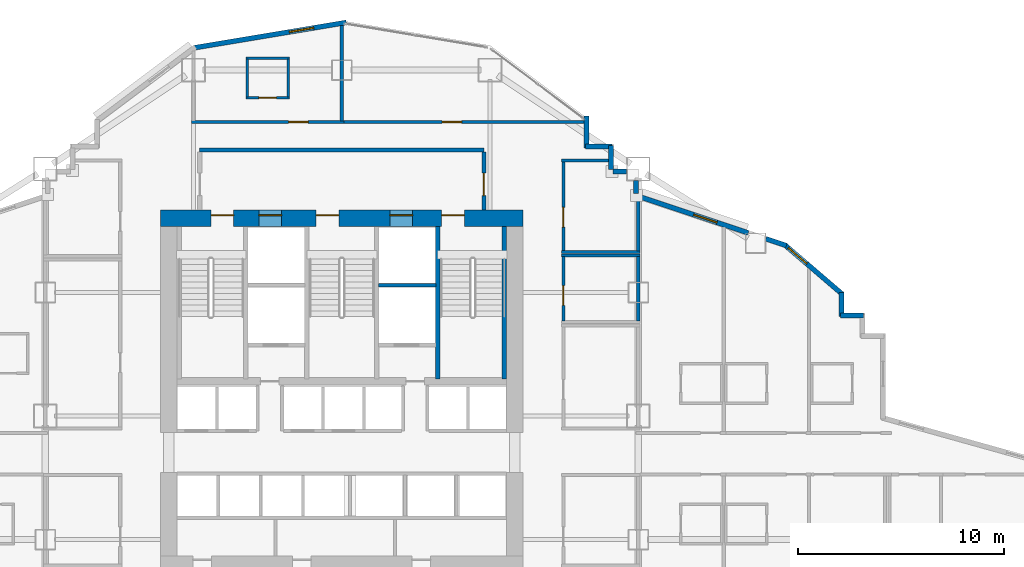
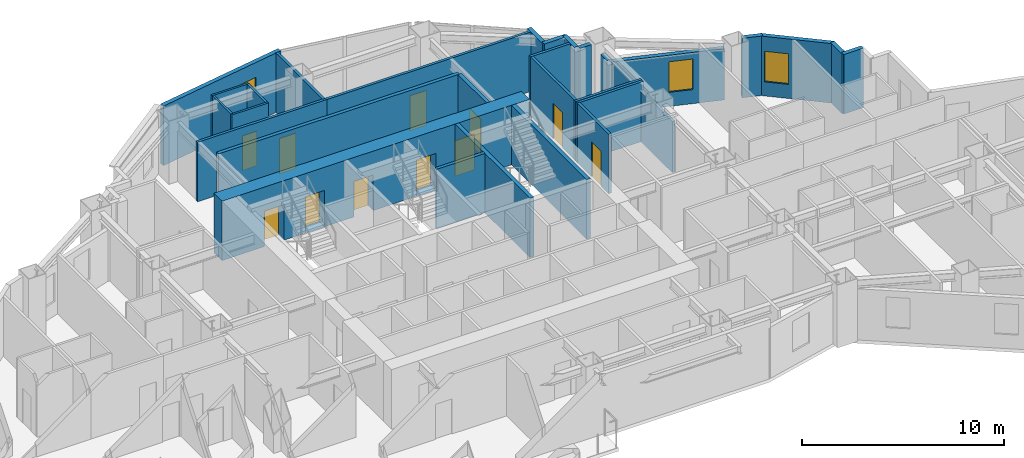
# One storey, part 12 of 16: 31 walls, 11 doors, 3 windows, 14 openings.
"""IFC4 building model written with IfcOpenShell, lengths in metres."""

from ifc_helpers import new_model, si_unit, direction, frame, frame_2d, origin, place, context, subcontext, project, spatial, rectangle, extrude, material, layer, layer_set, type_object, element, fill, save


model = new_model("IFC4")

# Units and contexts
model_context = context("Model", 3, precision=1e-05, world=origin(), true_north=direction((0.0, 1.0)))
body_context = subcontext(model_context, "Body", "Model", "MODEL_VIEW")
ifc_project = project(units=[si_unit("LENGTHUNIT", "METRE"), si_unit("AREAUNIT", "SQUARE_METRE"), si_unit("VOLUMEUNIT", "CUBIC_METRE"), si_unit("PLANEANGLEUNIT", "RADIAN"), si_unit("MASSUNIT", "GRAM", prefix="KILO")], contexts=[model_context])

# Site, building, storey
site_placement = place(None, origin())
site = spatial("IfcSite", under=ifc_project, at=site_placement, CompositionType="ELEMENT")
building_placement = place(site_placement, origin())
building = spatial("IfcBuilding", under=site, at=building_placement, Name="Haolan Belvedere Tower", CompositionType="ELEMENT")
storey_placement = place(building_placement, frame((0.0, 0.0, 78.0)))
storey = spatial("IfcBuildingStorey", under=building, at=storey_placement, Name="L19", CompositionType="ELEMENT", Elevation=78.0)

# Wall, openings, doors
ifc_material_1 = material(Name="Concrete C70/85", Category="concrete")
ifc_layer_1 = layer(ifc_material_1, 0.800048828125, Name="Concrete C70/85")
ifc_layer_set_1 = layer_set([ifc_layer_1], Name="Concrete C70/85")
wall_type_1 = type_object("IfcWallType", Name="WL-CORE-800", PredefinedType="SHEAR", material=ifc_layer_set_1)
wall_1_placement = place(storey_placement, frame((29.60009765625, 43.199951171875, 0.0), z_axis=(0.0, 0.0, 1.0), x_axis=(1.0, 0.0, 0.0)))
wall_1 = element("IfcWall", 1, at=wall_1_placement, inside=storey, type_object=wall_type_1, Name="L19 central core north shear wall", PredefinedType="SHEAR", context=body_context, shape_type="SweptSolid", body=[
    extrude(rectangle(XDim=17.599853515625, YDim=0.800048828125, at=frame_2d((8.7998046875, 0.0))), origin(), (0.0, 0.0, 1.0), 3.60009765625),
])
opening_1_placement = place(wall_1_placement, frame((2.449951171875, 0.0, 0.0)))
opening_1 = element("IfcOpeningElement", 2, at=opening_1_placement, cuts=wall_1, Name="Opening FD-03", PredefinedType="OPENING", context=body_context, shape_type="SweptSolid", body=[
    extrude(rectangle(XDim=1.10009765625, YDim=2.14990234375, at=frame_2d((0.550048828125, 1.074951171875))), frame((0.0, 0.409912109375, 0.0), z_axis=(0.0, -1.0, 0.0), x_axis=(1.0, 0.0, 0.0)), (0.0, 0.0, 1.0), 0.820068359375),
])
opening_2_placement = place(wall_1_placement, frame((7.56005859375, 0.0, 0.0)))
opening_2 = element("IfcOpeningElement", 3, at=opening_2_placement, cuts=wall_1, Name="Opening FD-03", PredefinedType="OPENING", context=body_context, shape_type="SweptSolid", body=[
    extrude(rectangle(XDim=1.10009765625, YDim=2.14990234375, at=frame_2d((0.550048828125, 1.074951171875))), frame((0.0, 0.409912109375, 0.0), z_axis=(0.0, -1.0, 0.0), x_axis=(1.0, 0.0, 0.0)), (0.0, 0.0, 1.0), 0.820068359375),
])
opening_3_placement = place(wall_1_placement, frame((13.64990234375, 0.0, 0.0)))
opening_3 = element("IfcOpeningElement", 4, at=opening_3_placement, cuts=wall_1, Name="Opening FD-03", PredefinedType="OPENING", context=body_context, shape_type="SweptSolid", body=[
    extrude(rectangle(XDim=1.10009765625, YDim=2.14990234375, at=frame_2d((0.550048828125, 1.074951171875))), frame((0.0, 0.409912109375, 0.0), z_axis=(0.0, -1.0, 0.0), x_axis=(1.0, 0.0, 0.0)), (0.0, 0.0, 1.0), 0.820068359375),
])
opening_4_placement = place(wall_1_placement, frame((4.780029296875, 0.0, 0.0)))
opening_4 = element("IfcOpeningElement", 5, at=opening_4_placement, cuts=wall_1, Name="Opening LD-01", PredefinedType="OPENING", context=body_context, shape_type="SweptSolid", body=[
    extrude(rectangle(XDim=1.10009765625, YDim=2.199951171875, at=frame_2d((0.550048828125, 1.10009765625))), frame((0.0, 0.409912109375, 0.0), z_axis=(0.0, -1.0, 0.0), x_axis=(1.0, 0.0, 0.0)), (0.0, 0.0, 1.0), 0.820068359375),
])
opening_5_placement = place(wall_1_placement, frame((11.139892578125, 0.0, 0.0)))
opening_5 = element("IfcOpeningElement", 6, at=opening_5_placement, cuts=wall_1, Name="Opening LD-01", PredefinedType="OPENING", context=body_context, shape_type="SweptSolid", body=[
    extrude(rectangle(XDim=1.10009765625, YDim=2.199951171875, at=frame_2d((0.550048828125, 1.10009765625))), frame((0.0, 0.409912109375, 0.0), z_axis=(0.0, -1.0, 0.0), x_axis=(1.0, 0.0, 0.0)), (0.0, 0.0, 1.0), 0.820068359375),
])
ifc_material_2 = material(Name="Galvanised fire-rated steel", Category="steel")
door_type_1 = type_object("IfcDoorType", Name="DR-FD90-1100", OperationType="NOTDEFINED", PredefinedType="DOOR", material=ifc_material_2)
door_1_placement = place(opening_1_placement, origin())
door_1 = element("IfcDoor", 7, at=door_1_placement, inside=storey, type_object=door_type_1, Name="L19 door CD-L19-ST1", OperationType="SINGLE_SWING_LEFT", OverallHeight=2.14990234375, OverallWidth=1.10009765625, PredefinedType="DOOR", context=body_context, shape_type="SweptSolid", body=[
    extrude(rectangle(XDim=1.10009765625, YDim=2.14990234375, at=frame_2d((0.550048828125, 1.074951171875))), frame((0.0, 0.18505859375, 0.0), z_axis=(0.0, -1.0, 0.0), x_axis=(1.0, 0.0, 0.0)), (0.0, 0.0, 1.0), 0.050048828125),
])
fill(opening_1, door_1)
door_2_placement = place(opening_2_placement, origin())
door_2 = element("IfcDoor", 8, at=door_2_placement, inside=storey, type_object=door_type_1, Name="L19 door CD-L19-ST3", OperationType="SINGLE_SWING_LEFT", OverallHeight=2.14990234375, OverallWidth=1.10009765625, PredefinedType="DOOR", context=body_context, shape_type="SweptSolid", body=[
    extrude(rectangle(XDim=1.10009765625, YDim=2.14990234375, at=frame_2d((0.550048828125, 1.074951171875))), frame((0.0, 0.18505859375, 0.0), z_axis=(0.0, -1.0, 0.0), x_axis=(1.0, 0.0, 0.0)), (0.0, 0.0, 1.0), 0.050048828125),
])
fill(opening_2, door_2)
door_3_placement = place(opening_3_placement, origin())
door_3 = element("IfcDoor", 9, at=door_3_placement, inside=storey, type_object=door_type_1, Name="L19 door CD-L19-ST2", OperationType="SINGLE_SWING_RIGHT", OverallHeight=2.14990234375, OverallWidth=1.10009765625, PredefinedType="DOOR", context=body_context, shape_type="SweptSolid", body=[
    extrude(rectangle(XDim=1.10009765625, YDim=2.14990234375, at=frame_2d((0.550048828125, 1.074951171875))), frame((0.0, 0.18505859375, 0.0), z_axis=(0.0, -1.0, 0.0), x_axis=(1.0, 0.0, 0.0)), (0.0, 0.0, 1.0), 0.050048828125),
])
fill(opening_3, door_3)
ifc_material_3 = material(Name="Brushed champagne stainless steel 316L", Category="steel")
door_type_2 = type_object("IfcDoorType", Name="DR-LIFT-1100", OperationType="SLIDING_TO_LEFT", PredefinedType="DOOR", material=ifc_material_3)
door_4_placement = place(opening_4_placement, origin())
door_4 = element("IfcDoor", 10, at=door_4_placement, inside=storey, type_object=door_type_2, Name="L19 door LD-L19-FF1", OperationType="SLIDING_TO_LEFT", OverallHeight=2.199951171875, OverallWidth=1.10009765625, PredefinedType="DOOR", context=body_context, shape_type="SweptSolid", body=[
    extrude(rectangle(XDim=1.10009765625, YDim=2.199951171875, at=frame_2d((0.550048828125, 1.10009765625))), frame((0.0, 0.18505859375, 0.0), z_axis=(0.0, -1.0, 0.0), x_axis=(1.0, 0.0, 0.0)), (0.0, 0.0, 1.0), 0.050048828125),
])
fill(opening_4, door_4)
door_5_placement = place(opening_5_placement, origin())
door_5 = element("IfcDoor", 11, at=door_5_placement, inside=storey, type_object=door_type_2, Name="L19 door LD-L19-FF2", OperationType="SLIDING_TO_LEFT", OverallHeight=2.199951171875, OverallWidth=1.10009765625, PredefinedType="DOOR", context=body_context, shape_type="SweptSolid", body=[
    extrude(rectangle(XDim=1.10009765625, YDim=2.199951171875, at=frame_2d((0.550048828125, 1.10009765625))), frame((0.0, 0.18505859375, 0.0), z_axis=(0.0, -1.0, 0.0), x_axis=(1.0, 0.0, 0.0)), (0.0, 0.0, 1.0), 0.050048828125),
])
fill(opening_5, door_5)

# Walls
ifc_material_4 = material(Name="Precast concrete C40/50", Category="concrete")
ifc_layer_2 = layer(ifc_material_4, 0.239990234375, Name="Precast concrete C40/50")
ifc_layer_set_2 = layer_set([ifc_layer_2], Name="Precast concrete C40/50")
wall_type_2 = type_object("IfcWallType", Name="WL-EXT-240", PredefinedType="SOLIDWALL", material=ifc_layer_set_2)
wall_2_placement = place(storey_placement, frame((63.735107421875, 38.47998046875, 0.0), z_axis=(0.0, 0.0, 1.0), x_axis=(-1.0, 0.0, 0.0)))
element("IfcWall", 12, at=wall_2_placement, inside=storey, type_object=wall_type_2, Name="L19 pale-metal exterior spandrel wall 32.1", PredefinedType="SOLIDWALL", context=body_context, shape_type="SweptSolid", body=[
    extrude(rectangle(XDim=1.110107421875, YDim=0.239990234375, at=frame_2d((0.55517578125, 0.0))), origin(), (0.0, 0.0, 1.0), 3.60009765625),
])
wall_3_placement = place(storey_placement, frame((62.679931640625, 38.425048828125, 0.0), z_axis=(0.0, 0.0, 1.0), x_axis=(0.0, 1.0, 0.0)))
element("IfcWall", 13, at=wall_3_placement, inside=storey, type_object=wall_type_2, Name="L19 pale-metal exterior spandrel wall 33.1", PredefinedType="SOLIDWALL", context=body_context, shape_type="SweptSolid", body=[
    extrude(rectangle(XDim=1.1748046875, YDim=0.239990234375, at=frame_2d((0.58740234375, 0.0))), origin(), (0.0, 0.0, 1.0), 3.60009765625),
])

# Wall, opening, window
wall_4_placement = place(storey_placement, frame((62.7216796875, 39.509033203125, 0.0), z_axis=(0.0, 0.0, 1.0), x_axis=(-0.759247334792, 0.650802185469, 0.0)))
wall_4 = element("IfcWall", 14, at=wall_4_placement, inside=storey, type_object=wall_type_2, Name="L19 pale-metal exterior spandrel wall 34.1", PredefinedType="SOLIDWALL", context=body_context, shape_type="SweptSolid", body=[
    extrude(rectangle(XDim=3.71923828125, YDim=0.239990234375, at=frame_2d((1.859619140625, 0.0))), origin(), (0.0, 0.0, 1.0), 3.60009765625),
])
opening_6_placement = place(wall_4_placement, frame((2.281005859375, 0.0, 0.85009765625)))
opening_6 = element("IfcOpeningElement", 15, at=opening_6_placement, cuts=wall_4, Name="Opening W-01", PredefinedType="OPENING", context=body_context, shape_type="SweptSolid", body=[
    extrude(rectangle(XDim=1.199951171875, YDim=1.85009765625, at=frame_2d((0.60009765625, 0.925048828125))), frame((0.0, 0.1298828125, 0.0), z_axis=(0.0, -1.0, 0.0), x_axis=(1.0, 0.0, 0.0)), (0.0, 0.0, 1.0), 0.260009765625),
])
ifc_material_5 = material(Name="Anodised aluminium 6063-T6 and Low-E glass", Category="aluminium")
window_type = type_object("IfcWindowType", Name="WN-DECO-Z1", PartitioningType="SINGLE_PANEL", PredefinedType="WINDOW", material=ifc_material_5)
window_1_placement = place(opening_6_placement, origin())
window_1 = element("IfcWindow", 16, at=window_1_placement, inside=storey, type_object=window_type, Name="L19 Art Deco chevron window 1", OverallHeight=1.85009765625, OverallWidth=1.199951171875, PartitioningType="SINGLE_PANEL", PredefinedType="WINDOW", context=body_context, shape_type="SweptSolid", body=[
    extrude(rectangle(XDim=1.199951171875, YDim=1.85009765625, at=frame_2d((0.60009765625, 0.925048828125))), frame((0.0, 0.030029296875, 0.0), z_axis=(0.0, -1.0, 0.0), x_axis=(1.0, 0.0, 0.0)), (0.0, 0.0, 1.0), 0.06005859375),
])
fill(opening_6, window_1)

# Wall
wall_5_placement = place(storey_placement, frame((59.991943359375, 41.876220703125, 0.0), z_axis=(0.0, 0.0, 1.0), x_axis=(-0.948706457285, 0.316158279832, 0.0)))
element("IfcWall", 17, at=wall_5_placement, inside=storey, type_object=wall_type_2, Name="L19 pale-metal exterior spandrel wall 35.1", PredefinedType="SOLIDWALL", context=body_context, shape_type="SweptSolid", body=[
    extrude(rectangle(XDim=1.053955078125, YDim=0.239990234375, at=frame_2d((0.52685546875, 0.0))), origin(), (0.0, 0.0, 1.0), 3.60009765625),
])

# Wall, opening, window
wall_6_placement = place(storey_placement, frame((58.14453125, 42.491943359375, 0.0), z_axis=(0.0, 0.0, 1.0), x_axis=(-0.948683298051, 0.316227766017, 0.0)))
wall_6 = element("IfcWall", 18, at=wall_6_placement, inside=storey, type_object=wall_type_2, Name="L19 pale-metal exterior spandrel wall 35.2", PredefinedType="SOLIDWALL", context=body_context, shape_type="SweptSolid", body=[
    extrude(rectangle(XDim=5.67529296875, YDim=0.239990234375, at=frame_2d((2.837646484375, 0.0))), origin(), (0.0, 0.0, 1.0), 3.096923828125),
])
opening_7_placement = place(wall_6_placement, frame((1.60009765625, 0.0, 0.85009765625)))
opening_7 = element("IfcOpeningElement", 19, at=opening_7_placement, cuts=wall_6, Name="Opening W-01", PredefinedType="OPENING", context=body_context, shape_type="SweptSolid", body=[
    extrude(rectangle(XDim=1.199951171875, YDim=1.85009765625, at=frame_2d((0.60009765625, 0.925048828125))), frame((0.0, 0.1298828125, 0.0), z_axis=(0.0, -1.0, 0.0), x_axis=(1.0, 0.0, 0.0)), (0.0, 0.0, 1.0), 0.260009765625),
])
window_2_placement = place(opening_7_placement, origin())
window_2 = element("IfcWindow", 20, at=window_2_placement, inside=storey, type_object=window_type, Name="L19 Art Deco chevron window 1", OverallHeight=1.85009765625, OverallWidth=1.199951171875, PartitioningType="SINGLE_PANEL", PredefinedType="WINDOW", context=body_context, shape_type="SweptSolid", body=[
    extrude(rectangle(XDim=1.199951171875, YDim=1.85009765625, at=frame_2d((0.60009765625, 0.925048828125))), frame((0.0, 0.030029296875, 0.0), z_axis=(0.0, -1.0, 0.0), x_axis=(1.0, 0.0, 0.0)), (0.0, 0.0, 1.0), 0.06005859375),
])
fill(opening_7, window_2)

# Walls
wall_7_placement = place(storey_placement, frame((52.679931640625, 44.3984375, 0.0), z_axis=(0.0, 0.0, 1.0), x_axis=(0.0, 1.0, 0.0)))
element("IfcWall", 21, at=wall_7_placement, inside=storey, type_object=wall_type_2, Name="L19 pale-metal exterior spandrel wall 36.1", PredefinedType="SOLIDWALL", context=body_context, shape_type="SweptSolid", body=[
    extrude(rectangle(XDim=0.634521484375, YDim=0.239990234375, at=frame_2d((0.3173828125, 0.0))), origin(), (0.0, 0.0, 1.0), 3.096923828125),
])
wall_8_placement = place(storey_placement, frame((52.23291015625, 45.47998046875, 0.0), z_axis=(0.0, 0.0, 1.0), x_axis=(-1.0, 0.0, 0.0)))
element("IfcWall", 22, at=wall_8_placement, inside=storey, type_object=wall_type_2, Name="L19 pale-metal exterior spandrel wall 37.1", PredefinedType="SOLIDWALL", context=body_context, shape_type="SweptSolid", body=[
    extrude(rectangle(XDim=0.66796875, YDim=0.239990234375, at=frame_2d((0.333984375, 0.0))), origin(), (0.0, 0.0, 1.0), 3.60009765625),
])
wall_9_placement = place(storey_placement, frame((51.47998046875, 45.56494140625, 0.0), z_axis=(0.0, 0.0, 1.0), x_axis=(0.0, 1.0, 0.0)))
element("IfcWall", 23, at=wall_9_placement, inside=storey, type_object=wall_type_2, Name="L19 pale-metal exterior spandrel wall 38.1", PredefinedType="SOLIDWALL", context=body_context, shape_type="SweptSolid", body=[
    extrude(rectangle(XDim=1.170166015625, YDim=0.239990234375, at=frame_2d((0.5849609375, 0.0))), origin(), (0.0, 0.0, 1.0), 3.60009765625),
])
wall_10_placement = place(storey_placement, frame((51.534912109375, 46.679931640625, 0.0), z_axis=(0.0, 0.0, 1.0), x_axis=(-1.0, 0.0, 0.0)))
element("IfcWall", 24, at=wall_10_placement, inside=storey, type_object=wall_type_2, Name="L19 pale-metal exterior spandrel wall 39.1", PredefinedType="SOLIDWALL", context=body_context, shape_type="SweptSolid", body=[
    extrude(rectangle(XDim=1.309814453125, YDim=0.239990234375, at=frame_2d((0.65478515625, 0.0))), origin(), (0.0, 0.0, 1.0), 3.60009765625),
])
wall_11_placement = place(storey_placement, frame((50.280029296875, 46.625, 0.0), z_axis=(0.0, 0.0, 1.0), x_axis=(0.0, 1.0, 0.0)))
element("IfcWall", 25, at=wall_11_placement, inside=storey, type_object=wall_type_2, Name="L19 pale-metal exterior spandrel wall 40.1", PredefinedType="SOLIDWALL", context=body_context, shape_type="SweptSolid", body=[
    extrude(rectangle(XDim=1.5400390625, YDim=0.239990234375, at=frame_2d((0.77001953125, 0.0))), origin(), (0.0, 0.0, 1.0), 3.60009765625),
])

# Wall, opening, window
wall_12_placement = place(storey_placement, frame((38.621826171875, 52.71533203125, 0.0), z_axis=(0.0, 0.0, 1.0), x_axis=(-0.98639129485, -0.164414760418, 0.0)))
wall_12 = element("IfcWall", 26, at=wall_12_placement, inside=storey, type_object=wall_type_2, Name="L19 pale-metal exterior spandrel wall 43.1", PredefinedType="SOLIDWALL", context=body_context, shape_type="SweptSolid", body=[
    extrude(rectangle(XDim=7.530029296875, YDim=0.239990234375, at=frame_2d((3.76513671875, 0.0))), origin(), (0.0, 0.0, 1.0), 3.60009765625),
])
opening_8_placement = place(wall_12_placement, frame((1.60009765625, 0.0, 0.85009765625)))
opening_8 = element("IfcOpeningElement", 27, at=opening_8_placement, cuts=wall_12, Name="Opening W-01", PredefinedType="OPENING", context=body_context, shape_type="SweptSolid", body=[
    extrude(rectangle(XDim=1.199951171875, YDim=1.85009765625, at=frame_2d((0.60009765625, 0.925048828125))), frame((0.0, 0.1298828125, 0.0), z_axis=(0.0, -1.0, 0.0), x_axis=(1.0, 0.0, 0.0)), (0.0, 0.0, 1.0), 0.260009765625),
])
window_3_placement = place(opening_8_placement, origin())
window_3 = element("IfcWindow", 28, at=window_3_placement, inside=storey, type_object=window_type, Name="L19 Art Deco chevron window 1", OverallHeight=1.85009765625, OverallWidth=1.199951171875, PartitioningType="SINGLE_PANEL", PredefinedType="WINDOW", context=body_context, shape_type="SweptSolid", body=[
    extrude(rectangle(XDim=1.199951171875, YDim=1.85009765625, at=frame_2d((0.60009765625, 0.925048828125))), frame((0.0, 0.030029296875, 0.0), z_axis=(0.0, -1.0, 0.0), x_axis=(1.0, 0.0, 0.0)), (0.0, 0.0, 1.0), 0.06005859375),
])
fill(opening_8, window_3)

# Wall
ifc_material_6 = material(Name="Concrete C40/50", Category="concrete")
ifc_layer_3 = layer(ifc_material_6, 0.199951171875, Name="Concrete C40/50")
ifc_layer_set_3 = layer_set([ifc_layer_3], Name="Concrete C40/50")
wall_type_3 = type_object("IfcWallType", Name="WL-FIRE-200", PredefinedType="SOLIDWALL", material=ifc_layer_set_3)
wall_13_placement = place(storey_placement, frame((31.5, 46.52001953125, 0.0), z_axis=(0.0, 0.0, 1.0), x_axis=(1.0, 0.0, 0.0)))
element("IfcWall", 29, at=wall_13_placement, inside=storey, type_object=wall_type_3, Name="L19 interior partition IW-L19-FFL-N", PredefinedType="SOLIDWALL", context=body_context, shape_type="SweptSolid", body=[
    extrude(rectangle(XDim=13.800048828125, YDim=0.199951171875, at=frame_2d((6.89990234375, 0.0))), origin(), (0.0, 0.0, 1.0), 3.60009765625),
])

# Wall, opening, door
wall_14_placement = place(storey_placement, frame((45.300048828125, 43.60009765625, 0.0), z_axis=(0.0, 0.0, 1.0), x_axis=(0.0, 1.0, 0.0)))
wall_14 = element("IfcWall", 30, at=wall_14_placement, inside=storey, type_object=wall_type_3, Name="L19 interior partition IW-L19-FFL-E", PredefinedType="SOLIDWALL", context=body_context, shape_type="SweptSolid", body=[
    extrude(rectangle(XDim=2.8349609375, YDim=0.199951171875, at=frame_2d((1.41748046875, 0.0))), origin(), (0.0, 0.0, 1.0), 3.60009765625),
])
opening_9_placement = place(wall_14_placement, frame((0.699951171875, 0.0, 0.0)))
opening_9 = element("IfcOpeningElement", 31, at=opening_9_placement, cuts=wall_14, Name="Opening FD-03", PredefinedType="OPENING", context=body_context, shape_type="SweptSolid", body=[
    extrude(rectangle(XDim=1.10009765625, YDim=2.14990234375, at=frame_2d((0.550048828125, 1.074951171875))), frame((0.0, 0.10986328125, 0.0), z_axis=(0.0, -1.0, 0.0), x_axis=(1.0, 0.0, 0.0)), (0.0, 0.0, 1.0), 0.219970703125),
])
door_6_placement = place(opening_9_placement, origin())
door_6 = element("IfcDoor", 32, at=door_6_placement, inside=storey, type_object=door_type_1, Name="L19 door ID-L19-FFL-DE", OperationType="SINGLE_SWING_RIGHT", OverallHeight=2.14990234375, OverallWidth=1.10009765625, PredefinedType="DOOR", context=body_context, shape_type="SweptSolid", body=[
    extrude(rectangle(XDim=1.10009765625, YDim=2.14990234375, at=frame_2d((0.550048828125, 1.074951171875))), frame((0.0, 0.02490234375, 0.0), z_axis=(0.0, -1.0, 0.0), x_axis=(1.0, 0.0, 0.0)), (0.0, 0.0, 1.0), 0.050048828125),
])
fill(opening_9, door_6)

# Wall
ifc_material_7 = material(Name="Double gypsum acoustic stud partition", Category="masonry")
ifc_layer_4 = layer(ifc_material_7, 0.14990234375, Name="Double gypsum acoustic stud partition")
ifc_layer_set_4 = layer_set([ifc_layer_4], Name="Double gypsum acoustic stud partition")
wall_type_4 = type_object("IfcWallType", Name="WL-PART-150", PredefinedType="PARTITIONING", material=ifc_layer_set_4)
wall_15_placement = place(storey_placement, frame((49.080078125, 41.39990234375, 0.0), z_axis=(0.0, 0.0, 1.0), x_axis=(1.0, 0.0, 0.0)))
element("IfcWall", 33, at=wall_15_placement, inside=storey, type_object=wall_type_4, Name="L19 interior partition IW-L19-AWC-N", PredefinedType="PARTITIONING", context=body_context, shape_type="SweptSolid", body=[
    extrude(rectangle(XDim=3.7998046875, YDim=0.14990234375, at=frame_2d((1.89990234375, 0.0))), origin(), (0.0, 0.0, 1.0), 3.60009765625),
])

# Wall, opening, door
wall_16_placement = place(storey_placement, frame((49.159912109375, 38.219970703125, 0.0), z_axis=(0.0, 0.0, 1.0), x_axis=(0.0, 1.0, 0.0)))
wall_16 = element("IfcWall", 34, at=wall_16_placement, inside=storey, type_object=wall_type_4, Name="L19 interior partition IW-L19-AWC-W", PredefinedType="PARTITIONING", context=body_context, shape_type="SweptSolid", body=[
    extrude(rectangle(XDim=3.1201171875, YDim=0.14990234375, at=frame_2d((1.56005859375, 0.0))), origin(), (0.0, 0.0, 1.0), 3.60009765625),
])
opening_10_placement = place(wall_16_placement, frame((0.760009765625, 0.0, 0.0)))
opening_10 = element("IfcOpeningElement", 35, at=opening_10_placement, cuts=wall_16, Name="Opening ID-03", PredefinedType="OPENING", context=body_context, shape_type="SweptSolid", body=[
    extrude(rectangle(XDim=0.949951171875, YDim=2.1201171875, at=frame_2d((0.47509765625, 1.06005859375))), frame((0.0, 0.0849609375, 0.0), z_axis=(0.0, -1.0, 0.0), x_axis=(1.0, 0.0, 0.0)), (0.0, 0.0, 1.0), 0.169921875),
])
ifc_material_8 = material(Name="Painted solid-core timber", Category="wood")
door_type_3 = type_object("IfcDoorType", Name="DR-INT-950", OperationType="NOTDEFINED", PredefinedType="DOOR", material=ifc_material_8)
door_7_placement = place(opening_10_placement, origin())
door_7 = element("IfcDoor", 36, at=door_7_placement, inside=storey, type_object=door_type_3, Name="L19 door ID-L19-AWC", OperationType="SINGLE_SWING_LEFT", OverallHeight=2.1201171875, OverallWidth=0.949951171875, PredefinedType="DOOR", context=body_context, shape_type="SweptSolid", body=[
    extrude(rectangle(XDim=0.949951171875, YDim=2.1201171875, at=frame_2d((0.47509765625, 1.06005859375))), frame((0.0, 0.02490234375, 0.0), z_axis=(0.0, -1.0, 0.0), x_axis=(1.0, 0.0, 0.0)), (0.0, 0.0, 1.0), 0.050048828125),
])
fill(opening_10, door_7)

# Walls
wall_17_placement = place(storey_placement, frame((52.800048828125, 38.219970703125, 0.0), z_axis=(0.0, 0.0, 1.0), x_axis=(0.0, 1.0, 0.0)))
element("IfcWall", 37, at=wall_17_placement, inside=storey, type_object=wall_type_4, Name="L19 interior partition IW-L19-AWC-E", PredefinedType="PARTITIONING", context=body_context, shape_type="SweptSolid", body=[
    extrude(rectangle(XDim=3.1201171875, YDim=0.14990234375, at=frame_2d((1.56005859375, 0.0))), origin(), (0.0, 0.0, 1.0), 3.096923828125),
])
wall_18_placement = place(storey_placement, frame((49.080078125, 46.02001953125, 0.0), z_axis=(0.0, 0.0, 1.0), x_axis=(1.0, 0.0, 0.0)))
element("IfcWall", 38, at=wall_18_placement, inside=storey, type_object=wall_type_4, Name="L19 interior partition IW-L19-CLN-N", PredefinedType="PARTITIONING", context=body_context, shape_type="SweptSolid", body=[
    extrude(rectangle(XDim=2.294921875, YDim=0.14990234375, at=frame_2d((1.1474609375, 0.0))), origin(), (0.0, 0.0, 1.0), 3.60009765625),
])
wall_19_placement = place(storey_placement, frame((49.080078125, 41.56005859375, 0.0), z_axis=(0.0, 0.0, 1.0), x_axis=(1.0, 0.0, 0.0)))
element("IfcWall", 39, at=wall_19_placement, inside=storey, type_object=wall_type_4, Name="L19 interior partition IW-L19-CLN-S", PredefinedType="PARTITIONING", context=body_context, shape_type="SweptSolid", body=[
    extrude(rectangle(XDim=3.7998046875, YDim=0.14990234375, at=frame_2d((1.89990234375, 0.0))), origin(), (0.0, 0.0, 1.0), 3.60009765625),
])

# Wall, opening, door
wall_20_placement = place(storey_placement, frame((49.159912109375, 41.6201171875, 0.0), z_axis=(0.0, 0.0, 1.0), x_axis=(0.0, 1.0, 0.0)))
wall_20 = element("IfcWall", 40, at=wall_20_placement, inside=storey, type_object=wall_type_4, Name="L19 interior partition IW-L19-CLN-W", PredefinedType="PARTITIONING", context=body_context, shape_type="SweptSolid", body=[
    extrude(rectangle(XDim=4.33984375, YDim=0.14990234375, at=frame_2d((2.169921875, 0.0))), origin(), (0.0, 0.0, 1.0), 3.60009765625),
])
opening_11_placement = place(wall_20_placement, frame((1.159912109375, 0.0, 0.0)))
opening_11 = element("IfcOpeningElement", 41, at=opening_11_placement, cuts=wall_20, Name="Opening ID-03", PredefinedType="OPENING", context=body_context, shape_type="SweptSolid", body=[
    extrude(rectangle(XDim=0.949951171875, YDim=2.1201171875, at=frame_2d((0.47509765625, 1.06005859375))), frame((0.0, 0.0849609375, 0.0), z_axis=(0.0, -1.0, 0.0), x_axis=(1.0, 0.0, 0.0)), (0.0, 0.0, 1.0), 0.169921875),
])
door_8_placement = place(opening_11_placement, origin())
door_8 = element("IfcDoor", 42, at=door_8_placement, inside=storey, type_object=door_type_3, Name="L19 door ID-L19-CLN", OperationType="SINGLE_SWING_RIGHT", OverallHeight=2.1201171875, OverallWidth=0.949951171875, PredefinedType="DOOR", context=body_context, shape_type="SweptSolid", body=[
    extrude(rectangle(XDim=0.949951171875, YDim=2.1201171875, at=frame_2d((0.47509765625, 1.06005859375))), frame((0.0, 0.02490234375, 0.0), z_axis=(0.0, -1.0, 0.0), x_axis=(1.0, 0.0, 0.0)), (0.0, 0.0, 1.0), 0.050048828125),
])
fill(opening_11, door_8)

# Wall
wall_21_placement = place(storey_placement, frame((52.800048828125, 41.6201171875, 0.0), z_axis=(0.0, 0.0, 1.0), x_axis=(0.0, 1.0, 0.0)))
element("IfcWall", 43, at=wall_21_placement, inside=storey, type_object=wall_type_4, Name="L19 interior partition IW-L19-CLN-E", PredefinedType="PARTITIONING", context=body_context, shape_type="SweptSolid", body=[
    extrude(rectangle(XDim=2.542724609375, YDim=0.14990234375, at=frame_2d((1.271484375, 0.0))), origin(), (0.0, 0.0, 1.0), 3.096923828125),
])

# Wall, opening, door
wall_22_placement = place(storey_placement, frame((31.10009765625, 47.8798828125, 0.0), z_axis=(0.0, 0.0, 1.0), x_axis=(1.0, 0.0, 0.0)))
wall_22 = element("IfcWall", 44, at=wall_22_placement, inside=storey, type_object=wall_type_4, Name="L19 interior partition IW-L19-KN2-S", PredefinedType="PARTITIONING", context=body_context, shape_type="SweptSolid", body=[
    extrude(rectangle(XDim=7.39990234375, YDim=0.14990234375, at=frame_2d((3.699951171875, 0.0))), origin(), (0.0, 0.0, 1.0), 3.60009765625),
])
opening_12_placement = place(wall_22_placement, frame((4.713623046875, 0.0, 0.0)))
opening_12 = element("IfcOpeningElement", 45, at=opening_12_placement, cuts=wall_22, Name="Opening ID-02", PredefinedType="OPENING", context=body_context, shape_type="SweptSolid", body=[
    extrude(rectangle(XDim=0.949951171875, YDim=2.14990234375, at=frame_2d((0.47509765625, 1.074951171875))), frame((0.0, 0.0849609375, 0.0), z_axis=(0.0, -1.0, 0.0), x_axis=(1.0, 0.0, 0.0)), (0.0, 0.0, 1.0), 0.169921875),
])
ifc_material_9 = material(Name="Acoustic oak veneer fire-rated timber", Category="wood")
door_type_4 = type_object("IfcDoorType", Name="DR-GUEST-950", OperationType="NOTDEFINED", PredefinedType="DOOR", material=ifc_material_9)
door_9_placement = place(opening_12_placement, origin())
door_9 = element("IfcDoor", 46, at=door_9_placement, inside=storey, type_object=door_type_4, Name="L19 door ID-L19-KN2-ENT", OperationType="SINGLE_SWING_LEFT", OverallHeight=2.14990234375, OverallWidth=0.949951171875, PredefinedType="DOOR", context=body_context, shape_type="SweptSolid", body=[
    extrude(rectangle(XDim=0.949951171875, YDim=2.14990234375, at=frame_2d((0.47509765625, 1.074951171875))), frame((0.0, 0.02490234375, 0.0), z_axis=(0.0, -1.0, 0.0), x_axis=(1.0, 0.0, 0.0)), (0.0, 0.0, 1.0), 0.050048828125),
])
fill(opening_12, door_9)

# Wall
wall_23_placement = place(storey_placement, frame((38.39990234375, 47.93994140625, 0.0), z_axis=(0.0, 0.0, 1.0), x_axis=(0.0, 1.0, 0.0)))
element("IfcWall", 47, at=wall_23_placement, inside=storey, type_object=wall_type_4, Name="L19 interior partition IW-L19-KN2-E", PredefinedType="PARTITIONING", context=body_context, shape_type="SweptSolid", body=[
    extrude(rectangle(XDim=4.632080078125, YDim=0.14990234375, at=frame_2d((2.31591796875, 0.0))), origin(), (0.0, 0.0, 1.0), 3.60009765625),
])

# Wall, opening, door
wall_24_placement = place(storey_placement, frame((38.501953125, 47.8798828125, 0.0), z_axis=(0.0, 0.0, 1.0), x_axis=(1.0, 0.0, 0.0)))
wall_24 = element("IfcWall", 48, at=wall_24_placement, inside=storey, type_object=wall_type_4, Name="L19 interior partition IW-L19-KN3-S", PredefinedType="PARTITIONING", context=body_context, shape_type="SweptSolid", body=[
    extrude(rectangle(XDim=11.673095703125, YDim=0.14990234375, at=frame_2d((5.83642578125, 0.0))), origin(), (0.0, 0.0, 1.0), 3.60009765625),
])
opening_13_placement = place(wall_24_placement, frame((4.77294921875, 0.0, 0.0)))
opening_13 = element("IfcOpeningElement", 49, at=opening_13_placement, cuts=wall_24, Name="Opening ID-03", PredefinedType="OPENING", context=body_context, shape_type="SweptSolid", body=[
    extrude(rectangle(XDim=0.949951171875, YDim=2.1201171875, at=frame_2d((0.47509765625, 1.06005859375))), frame((0.0, 0.0849609375, 0.0), z_axis=(0.0, -1.0, 0.0), x_axis=(1.0, 0.0, 0.0)), (0.0, 0.0, 1.0), 0.169921875),
])
door_10_placement = place(opening_13_placement, origin())
door_10 = element("IfcDoor", 50, at=door_10_placement, inside=storey, type_object=door_type_3, Name="L19 door ID-L19-KN3", OperationType="SINGLE_SWING_RIGHT", OverallHeight=2.1201171875, OverallWidth=0.949951171875, PredefinedType="DOOR", context=body_context, shape_type="SweptSolid", body=[
    extrude(rectangle(XDim=0.949951171875, YDim=2.1201171875, at=frame_2d((0.47509765625, 1.06005859375))), frame((0.0, 0.02490234375, 0.0), z_axis=(0.0, -1.0, 0.0), x_axis=(1.0, 0.0, 0.0)), (0.0, 0.0, 1.0), 0.050048828125),
])
fill(opening_13, door_10)

# Walls
ifc_layer_5 = layer(ifc_material_4, 0.179931640625, Name="Precast concrete C40/50")
ifc_layer_set_5 = layer_set([ifc_layer_5], Name="Precast concrete C40/50")
wall_type_5 = type_object("IfcWallType", Name="WL-SHAFT-180", PredefinedType="SOLIDWALL", material=ifc_layer_set_5)
wall_25_placement = place(storey_placement, frame((40.195068359375, 39.949951171875, 0.0), z_axis=(0.0, 0.0, 1.0), x_axis=(1.0, 0.0, 0.0)))
element("IfcWall", 51, at=wall_25_placement, inside=storey, type_object=wall_type_5, Name="L19 interior partition IW-L19-FF2-S", PredefinedType="SOLIDWALL", context=body_context, shape_type="SweptSolid", body=[
    extrude(rectangle(XDim=2.77001953125, YDim=0.179931640625, at=frame_2d((1.385009765625, 0.0))), origin(), (0.0, 0.0, 1.0), 3.60009765625),
])
ifc_material_10 = material(Name="Concrete C50/60", Category="concrete")
ifc_layer_6 = layer(ifc_material_10, 0.219970703125, Name="Concrete C50/60")
ifc_layer_set_6 = layer_set([ifc_layer_6], Name="Concrete C50/60")
wall_type_6 = type_object("IfcWallType", Name="WL-STAIR-220", PredefinedType="SHEAR", material=ifc_layer_set_6)
for number, where, z_axis, x_axis, name in (
    (52, (43.06005859375, 35.389892578125, 0.0), (0.0, 0.0, 1.0), (0.0, 1.0, 0.0), "L19 structural stair core wall ST2W"),
    (53, (46.2880859375, 35.389892578125, 0.0), (0.0, 0.0, 1.0), (0.0, 1.0, 0.0), "L19 structural stair core wall ST2E"),
):
    element("IfcWall", number, at=place(storey_placement, frame(where, z_axis=z_axis, x_axis=x_axis)), inside=storey, type_object=wall_type_6, Name=name, PredefinedType="SHEAR", context=body_context, shape_type="SweptSolid", body=[
        extrude(rectangle(XDim=7.41015625, YDim=0.219970703125, at=frame_2d((3.705078125, 0.0))), origin(), (0.0, 0.0, 1.0), 3.60009765625),
    ])
ifc_material_11 = material(Name="Moisture-resistant gypsum tile partition", Category="masonry")
ifc_layer_7 = layer(ifc_material_11, 0.1201171875, Name="Moisture-resistant gypsum tile partition")
ifc_layer_set_7 = layer_set([ifc_layer_7], Name="Moisture-resistant gypsum tile partition")
wall_type_7 = type_object("IfcWallType", Name="WL-WET-120", PredefinedType="PARTITIONING", material=ifc_layer_set_7)
wall_26_placement = place(storey_placement, frame((33.75, 50.97998046875, 0.0), z_axis=(0.0, 0.0, 1.0), x_axis=(1.0, 0.0, 0.0)))
element("IfcWall", 54, at=wall_26_placement, inside=storey, type_object=wall_type_7, Name="L19 interior partition IW-L19-KN2-BN", PredefinedType="PARTITIONING", context=body_context, shape_type="SweptSolid", body=[
    extrude(rectangle(XDim=2.10009765625, YDim=0.1201171875, at=frame_2d((1.050048828125, 0.0))), origin(), (0.0, 0.0, 1.0), 3.60009765625),
])

# Wall, opening, door
wall_27_placement = place(storey_placement, frame((33.75, 49.06005859375, 0.0), z_axis=(0.0, 0.0, 1.0), x_axis=(1.0, 0.0, 0.0)))
wall_27 = element("IfcWall", 55, at=wall_27_placement, inside=storey, type_object=wall_type_7, Name="L19 interior partition IW-L19-KN2-BS", PredefinedType="PARTITIONING", context=body_context, shape_type="SweptSolid", body=[
    extrude(rectangle(XDim=2.10009765625, YDim=0.1201171875, at=frame_2d((1.050048828125, 0.0))), origin(), (0.0, 0.0, 1.0), 3.60009765625),
])
opening_14_placement = place(wall_27_placement, frame((0.625, 0.0, 0.0)))
opening_14 = element("IfcOpeningElement", 56, at=opening_14_placement, cuts=wall_27, Name="Opening ID-05", PredefinedType="OPENING", context=body_context, shape_type="SweptSolid", body=[
    extrude(rectangle(XDim=0.85009765625, YDim=2.10009765625, at=frame_2d((0.425048828125, 1.050048828125))), frame((0.0, 0.070068359375, 0.0), z_axis=(0.0, -1.0, 0.0), x_axis=(1.0, 0.0, 0.0)), (0.0, 0.0, 1.0), 0.14013671875),
])
ifc_material_12 = material(Name="Moisture-resistant lacquered timber", Category="wood")
door_type_5 = type_object("IfcDoorType", Name="DR-BATH-850", OperationType="NOTDEFINED", PredefinedType="DOOR", material=ifc_material_12)
door_11_placement = place(opening_14_placement, origin())
door_11 = element("IfcDoor", 57, at=door_11_placement, inside=storey, type_object=door_type_5, Name="L19 door ID-L19-KN2-BATH", OperationType="SINGLE_SWING_RIGHT", OverallHeight=2.10009765625, OverallWidth=0.85009765625, PredefinedType="DOOR", context=body_context, shape_type="SweptSolid", body=[
    extrude(rectangle(XDim=0.85009765625, YDim=2.10009765625, at=frame_2d((0.425048828125, 1.050048828125))), frame((0.0, 0.02490234375, 0.0), z_axis=(0.0, -1.0, 0.0), x_axis=(1.0, 0.0, 0.0)), (0.0, 0.0, 1.0), 0.050048828125),
])
fill(opening_14, door_11)

# Walls
for number, where, z_axis, x_axis, name in (
    (58, (33.81005859375, 49.10498046875, 0.0), (0.0, 0.0, 1.0), (0.0, 1.0, 0.0), "L19 interior partition IW-L19-KN2-BW"),
    (59, (35.7900390625, 49.10498046875, 0.0), (0.0, 0.0, 1.0), (0.0, 1.0, 0.0), "L19 interior partition IW-L19-KN2-BE"),
):
    element("IfcWall", number, at=place(storey_placement, frame(where, z_axis=z_axis, x_axis=x_axis)), inside=storey, type_object=wall_type_7, Name=name, PredefinedType="PARTITIONING", context=body_context, shape_type="SweptSolid", body=[
        extrude(rectangle(XDim=1.830078125, YDim=0.1201171875, at=frame_2d((0.9150390625, 0.0))), origin(), (0.0, 0.0, 1.0), 3.60009765625),
    ])

save(model, "model.ifc")
